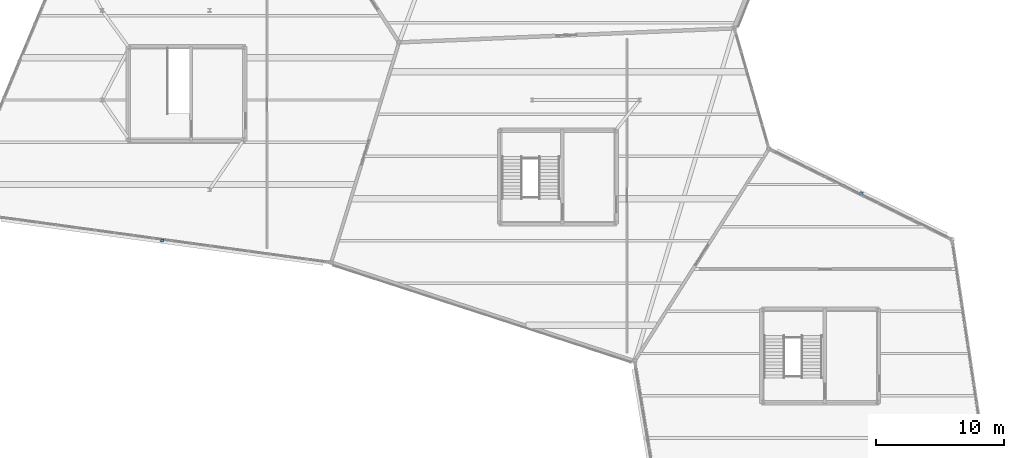
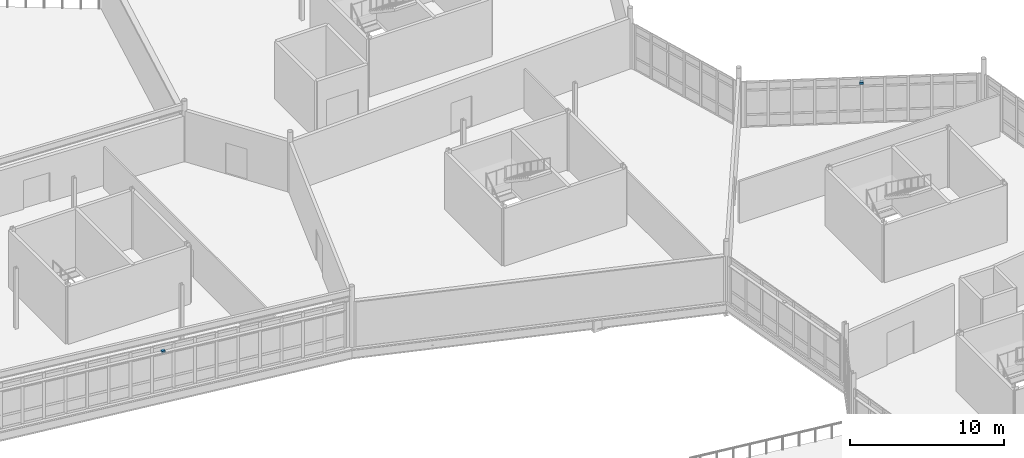
# One storey, part 103 of 114: 2 discrete accessories.
"""IFC4 building model written with IfcOpenShell, lengths in metres."""

from ifc_helpers import new_model, si_unit, direction, frame, origin, origin_2d, place, context, subcontext, project, spatial, rectangle, extrude, material, type_object, element, save


model = new_model("IFC4")

# Units and contexts
model_context = context("Model", 3, precision=1e-05, world=origin(), true_north=direction((0.0, 1.0)))
body_context = subcontext(model_context, "Body", "Model", "MODEL_VIEW")
ifc_project = project(units=[si_unit("LENGTHUNIT", "METRE"), si_unit("AREAUNIT", "SQUARE_METRE"), si_unit("VOLUMEUNIT", "CUBIC_METRE"), si_unit("PLANEANGLEUNIT", "RADIAN"), si_unit("MASSUNIT", "GRAM", prefix="KILO")], contexts=[model_context])

# Site, building, storey
site_placement = place(None, origin())
site = spatial("IfcSite", under=ifc_project, at=site_placement, CompositionType="ELEMENT")
building_placement = place(site_placement, origin())
building = spatial("IfcBuilding", under=site, at=building_placement, Name="Tameran Prism Museum", CompositionType="ELEMENT")
storey_placement = place(building_placement, frame((0.0, 0.0, 10.199951171875)))
storey = spatial("IfcBuildingStorey", under=building, at=storey_placement, Name="L02", CompositionType="ELEMENT", Elevation=10.199951171875)

# Discrete accessories
ifc_material = material(Name="Galvanized Steel Grade 350 (350 MPa)", Category="steel")
discrete_accessory_type = type_object("IfcDiscreteAccessoryType", Name="DA-BRK-STL", PredefinedType="BRACKET", material=ifc_material)
for number, where, z_axis, x_axis, name in (
    (1, (67.712890625, 69.7080078125, 3.09033203125), (0.0, 0.0, 1.0), (0.895711760239, -0.444635179185, 0.0), "Facade Sunshade Bracket BK-048"),
    (2, (13.10888671875, 66.02490234375, 3.09033203125), (0.0, 0.0, 1.0), (-0.990771512217, 0.135542652249, 0.0), "Facade Sunshade Bracket BK-053"),
):
    element("IfcDiscreteAccessory", number, at=place(storey_placement, frame(where, z_axis=z_axis, x_axis=x_axis)), inside=storey, type_object=discrete_accessory_type, Name=name, PredefinedType="BRACKET", context=body_context, shape_type="SweptSolid", body=[
        extrude(rectangle(XDim=0.239990234375, YDim=0.239990234375, at=origin_2d()), origin(), (0.0, 0.0, 1.0), 0.159912109375),
    ])

save(model, "model.ifc")
